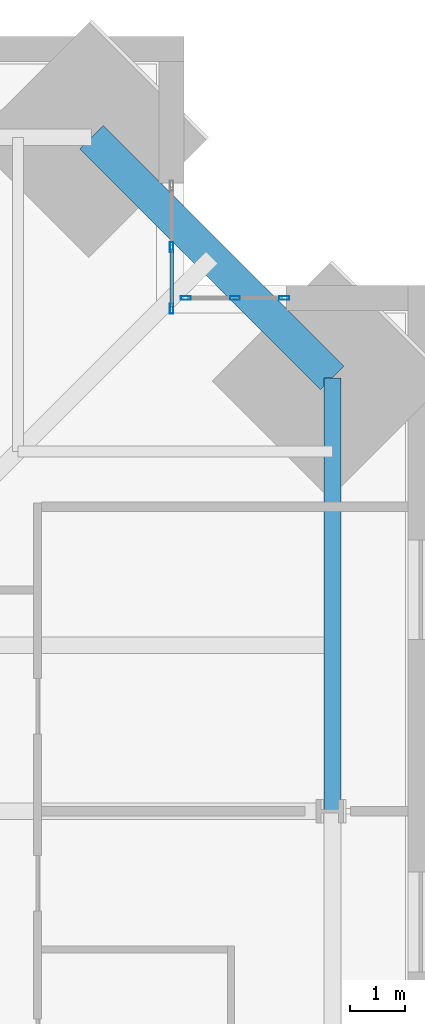
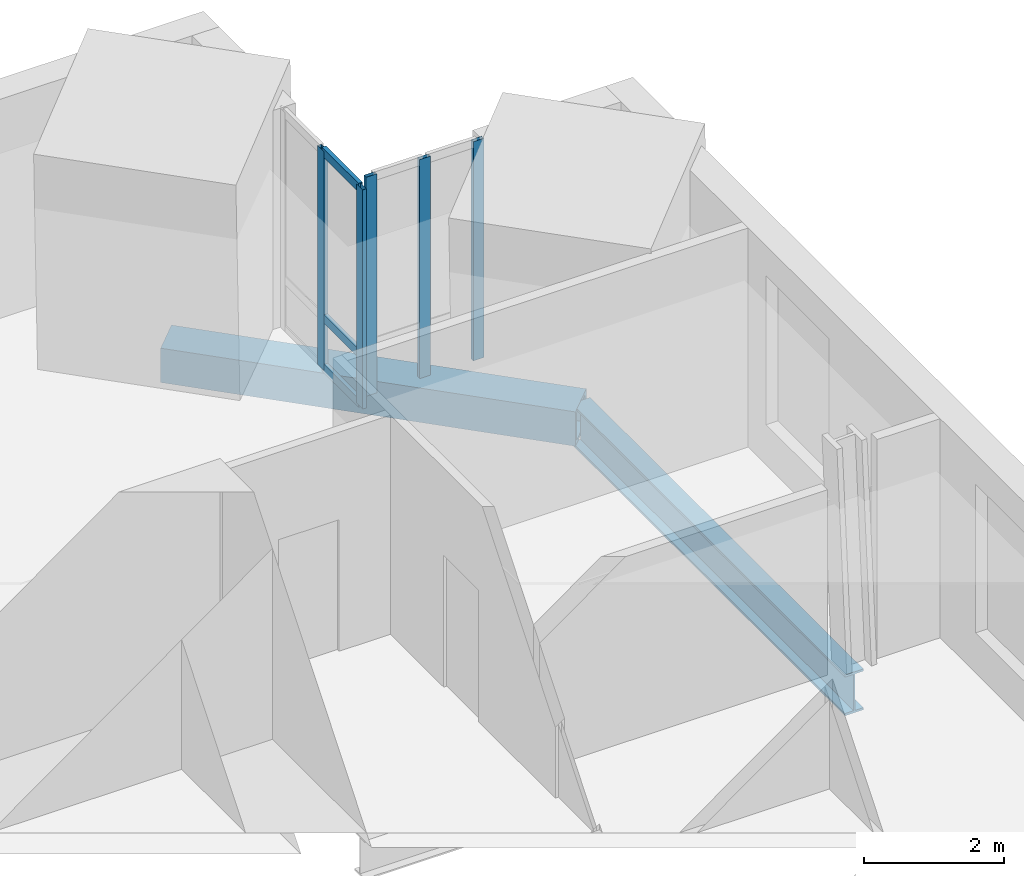
# One storey, part 8 of 16: 8 members, 2 beams, 2 elements without a shape of their own.
"""IFC4 building model written with IfcOpenShell, lengths in metres."""

from ifc_helpers import new_model, si_unit, direction, frame, origin, origin_2d, place, context, subcontext, project, spatial, hollow_rectangle, i_section, extrude, material, material_profile, profile_set, type_object, element, aggregate, save


model = new_model("IFC4")

# Units and contexts
model_context = context("Model", 3, precision=1e-05, world=origin(), true_north=direction((0.0, 1.0)))
body_context = subcontext(model_context, "Body", "Model", "MODEL_VIEW")
ifc_project = project(units=[si_unit("LENGTHUNIT", "METRE"), si_unit("AREAUNIT", "SQUARE_METRE"), si_unit("VOLUMEUNIT", "CUBIC_METRE"), si_unit("PLANEANGLEUNIT", "RADIAN"), si_unit("MASSUNIT", "GRAM", prefix="KILO")], contexts=[model_context])

# Site, building, storey
site_placement = place(None, origin())
site = spatial("IfcSite", under=ifc_project, at=site_placement, CompositionType="ELEMENT")
building_placement = place(site_placement, origin())
building = spatial("IfcBuilding", under=site, at=building_placement, Name="Peilmerk Tower", CompositionType="ELEMENT")
storey_placement = place(building_placement, frame((0.0, 0.0, 265.800048828125)))
storey = spatial("IfcBuildingStorey", under=building, at=storey_placement, Name="L59", CompositionType="ELEMENT", Elevation=265.800048828125)

# Beams
ifc_material_1 = material(Name="Steel S460", Category="steel")
ifc_material_profile_1 = material_profile(ifc_material_1, hollow_rectangle(XDim=0.60009765625, YDim=0.60009765625, WallThickness=0.06005859375, at=origin_2d()), Name="BOX 600x600x60")
ifc_profile_set_1 = profile_set([ifc_material_profile_1], Name="Steel S460")
beam_type_1 = type_object("IfcBeamType", Name="B20 BOX 600x600x60 notch beam", PredefinedType="SPANDREL", material=ifc_profile_set_1)
beam_1_placement = place(storey_placement, frame((15.8291015625, 20.178955078125, -0.469970703125), z_axis=(0.707106781187, -0.707106781187, 0.0), x_axis=(0.707106781187, 0.707106781187, 0.0)))
element("IfcBeam", 1, at=beam_1_placement, inside=storey, type_object=beam_type_1, Name="Notch beam L59", PredefinedType="SPANDREL", context=body_context, shape_type="SweptSolid", body=[
    extrude(hollow_rectangle(XDim=0.60009765625, YDim=0.60009765625, WallThickness=0.06005859375, at=origin_2d()), origin(), (0.0, 0.0, 1.0), 6.151611328125),
])
ifc_material_2 = material(Name="Steel S355", Category="steel")
ifc_material_profile_2 = material_profile(ifc_material_2, i_section(OverallWidth=0.303955078125, OverallDepth=0.716064453125, WebThickness=0.02099609375, FlangeThickness=0.0400390625, at=origin_2d()), Name="HEM 700")
ifc_profile_set_2 = profile_set([ifc_material_profile_2], Name="Steel S355")
beam_type_2 = type_object("IfcBeamType", Name="B30 HEM 700 edge beam", PredefinedType="SPANDREL", material=ifc_profile_set_2)
beam_2_placement = place(storey_placement, frame((20.178955078125, 8.0, -0.528076171875), z_axis=(0.0, 1.0, 0.0), x_axis=(-1.0, 0.0, 0.0)))
element("IfcBeam", 2, at=beam_2_placement, inside=storey, type_object=beam_type_2, Name="Edge beam L59", PredefinedType="SPANDREL", context=body_context, shape_type="SweptSolid", body=[
    extrude(i_section(OverallWidth=0.303955078125, OverallDepth=0.716064453125, WebThickness=0.02099609375, FlangeThickness=0.0400390625, at=origin_2d()), origin(), (0.0, 0.0, 1.0), 7.8291015625),
])

# Curtain wall, members
ifc_material_3 = material(Name="Aluminium stick curtain wall", Category="aluminium")
curtain_wall_type = type_object("IfcCurtainWallType", Name="CW4 stick curtain wall, 2250 module", PredefinedType="NOTDEFINED", material=ifc_material_3)
curtain_wall_1_placement = place(storey_placement, origin())
curtain_wall_1 = element("IfcCurtainWall", 3, at=curtain_wall_1_placement, inside=storey, type_object=curtain_wall_type, Name="Curtain wall CW4 NEA L59", PredefinedType="NOTDEFINED")
ifc_material_4 = material(Name="Aluminium EN AW-6063 T6", Category="aluminium")
ifc_material_profile_3 = material_profile(ifc_material_4, hollow_rectangle(XDim=0.06494140625, YDim=0.179931640625, WallThickness=0.0029296875, at=origin_2d()), Name="AL 180x65x3")
ifc_profile_set_3 = profile_set([ifc_material_profile_3], Name="Aluminium EN AW-6063 T6")
member_type_1 = type_object("IfcMemberType", Name="CW4-M AL 180x65x3 mullion", PredefinedType="MULLION", material=ifc_profile_set_3)
member_1_placement = place(storey_placement, frame((17.27490234375, 17.08251953125, 0.0), z_axis=(0.0, 0.0, 1.0), x_axis=(-1.0, 0.0, 0.0)))
member_1 = element("IfcMember", 4, at=member_1_placement, type_object=member_type_1, Name="CW4 mullion 1", PredefinedType="MULLION", context=body_context, shape_type="SweptSolid", body=[
    extrude(hollow_rectangle(XDim=0.06494140625, YDim=0.179931640625, WallThickness=0.0029296875, at=origin_2d()), origin(), (0.0, 0.0, 1.0), 3.829833984375),
])
member_2_placement = place(storey_placement, frame((17.27490234375, 18.1943359375, 0.0), z_axis=(0.0, 0.0, 1.0), x_axis=(-1.0, 0.0, 0.0)))
member_2 = element("IfcMember", 5, at=member_2_placement, type_object=member_type_1, Name="CW4 mullion 2", PredefinedType="MULLION", context=body_context, shape_type="SweptSolid", body=[
    extrude(hollow_rectangle(XDim=0.06494140625, YDim=0.179931640625, WallThickness=0.0029296875, at=origin_2d()), origin(), (0.0, 0.0, 1.0), 3.829833984375),
])

curtain_wall_2_placement = place(storey_placement, origin())
curtain_wall_2 = element("IfcCurtainWall", 6, at=curtain_wall_2_placement, inside=storey, type_object=curtain_wall_type, Name="Curtain wall CW4 NEB L59", PredefinedType="NOTDEFINED")
member_3_placement = place(storey_placement, frame((17.532470703125, 17.27490234375, 0.0), z_axis=(0.0, 0.0, 1.0), x_axis=(0.0, 1.0, 0.0)))
member_3 = element("IfcMember", 7, at=member_3_placement, type_object=member_type_1, Name="CW4 mullion 1", PredefinedType="MULLION", context=body_context, shape_type="SweptSolid", body=[
    extrude(hollow_rectangle(XDim=0.06494140625, YDim=0.179931640625, WallThickness=0.0029296875, at=origin_2d()), origin(), (0.0, 0.0, 1.0), 3.829833984375),
])
member_4_placement = place(storey_placement, frame((18.41943359375, 17.27490234375, 0.0), z_axis=(0.0, 0.0, 1.0), x_axis=(0.0, 1.0, 0.0)))
member_4 = element("IfcMember", 8, at=member_4_placement, type_object=member_type_1, Name="CW4 mullion 2", PredefinedType="MULLION", context=body_context, shape_type="SweptSolid", body=[
    extrude(hollow_rectangle(XDim=0.06494140625, YDim=0.179931640625, WallThickness=0.0029296875, at=origin_2d()), origin(), (0.0, 0.0, 1.0), 3.829833984375),
])
member_5_placement = place(storey_placement, frame((19.30615234375, 17.27490234375, 0.0), z_axis=(0.0, 0.0, 1.0), x_axis=(0.0, 1.0, 0.0)))
member_5 = element("IfcMember", 9, at=member_5_placement, type_object=member_type_1, Name="CW4 mullion 3", PredefinedType="MULLION", context=body_context, shape_type="SweptSolid", body=[
    extrude(hollow_rectangle(XDim=0.06494140625, YDim=0.179931640625, WallThickness=0.0029296875, at=origin_2d()), origin(), (0.0, 0.0, 1.0), 3.829833984375),
])
aggregate(curtain_wall_2, [member_3, member_4, member_5])

# Member
ifc_material_profile_4 = material_profile(ifc_material_4, hollow_rectangle(XDim=0.06494140625, YDim=0.14990234375, WallThickness=0.0029296875, at=origin_2d()), Name="AL 150x65x3")
ifc_profile_set_4 = profile_set([ifc_material_profile_4], Name="Aluminium EN AW-6063 T6")
member_type_2 = type_object("IfcMemberType", Name="CW4-T AL 150x65x3 transom", PredefinedType="USERDEFINED", material=ifc_profile_set_4)
member_6_placement = place(storey_placement, frame((17.27490234375, 17.114990234375, 0.032470703125), z_axis=(0.0, 1.0, 0.0), x_axis=(-1.0, 0.0, 0.0)))
member_6 = element("IfcMember", 10, at=member_6_placement, type_object=member_type_2, Name="CW4 transom 1.1", ObjectType="TRANSOM", PredefinedType="USERDEFINED", context=body_context, shape_type="SweptSolid", body=[
    extrude(hollow_rectangle(XDim=0.06494140625, YDim=0.14990234375, WallThickness=0.0029296875, at=origin_2d()), origin(), (0.0, 0.0, 1.0), 1.046875),
])

member_7_placement = place(storey_placement, frame((17.27490234375, 17.114990234375, 0.89990234375), z_axis=(0.0, 1.0, 0.0), x_axis=(-1.0, 0.0, 0.0)))
member_7 = element("IfcMember", 11, at=member_7_placement, type_object=member_type_2, Name="CW4 transom 1.2", ObjectType="TRANSOM", PredefinedType="USERDEFINED", context=body_context, shape_type="SweptSolid", body=[
    extrude(hollow_rectangle(XDim=0.06494140625, YDim=0.14990234375, WallThickness=0.0029296875, at=origin_2d()), origin(), (0.0, 0.0, 1.0), 1.046875),
])

member_8_placement = place(storey_placement, frame((17.27490234375, 17.114990234375, 3.79736328125), z_axis=(0.0, 1.0, 0.0), x_axis=(-1.0, 0.0, 0.0)))
member_8 = element("IfcMember", 12, at=member_8_placement, type_object=member_type_2, Name="CW4 transom 1.3", ObjectType="TRANSOM", PredefinedType="USERDEFINED", context=body_context, shape_type="SweptSolid", body=[
    extrude(hollow_rectangle(XDim=0.06494140625, YDim=0.14990234375, WallThickness=0.0029296875, at=origin_2d()), origin(), (0.0, 0.0, 1.0), 1.046875),
])

aggregate(curtain_wall_1, [member_1, member_2, member_6, member_7, member_8])

save(model, "model.ifc")
